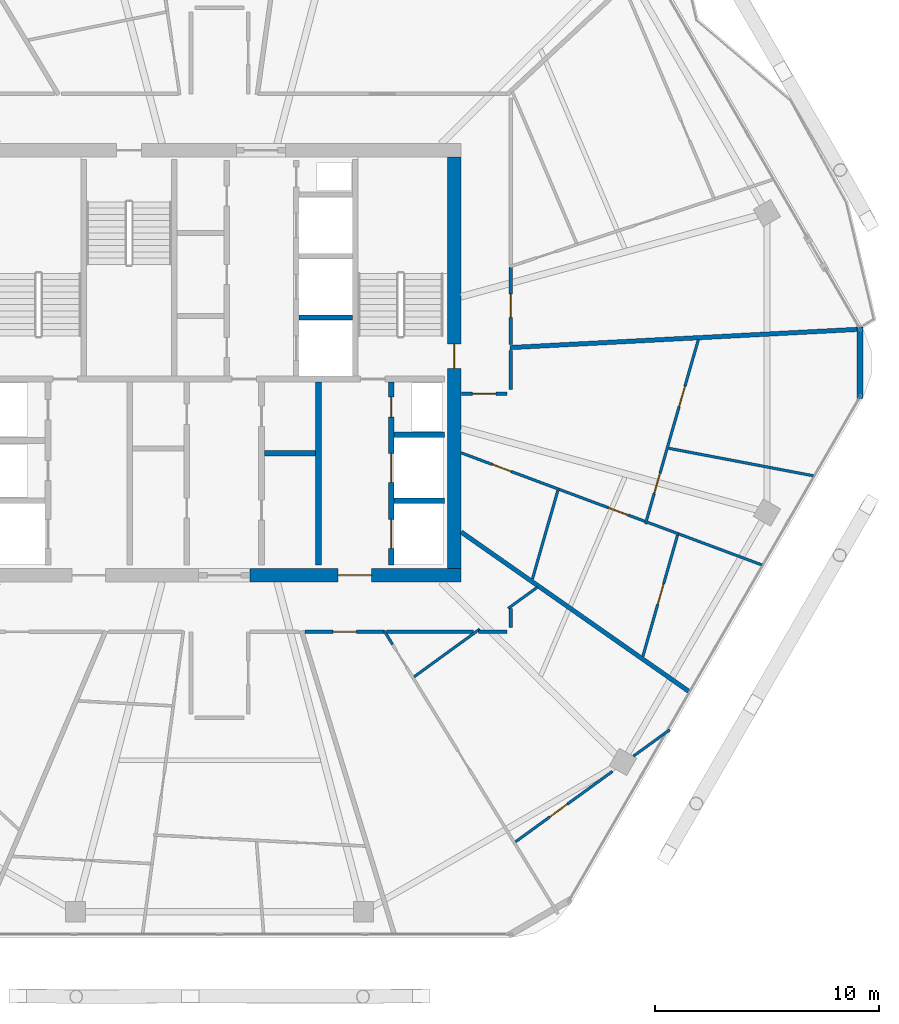
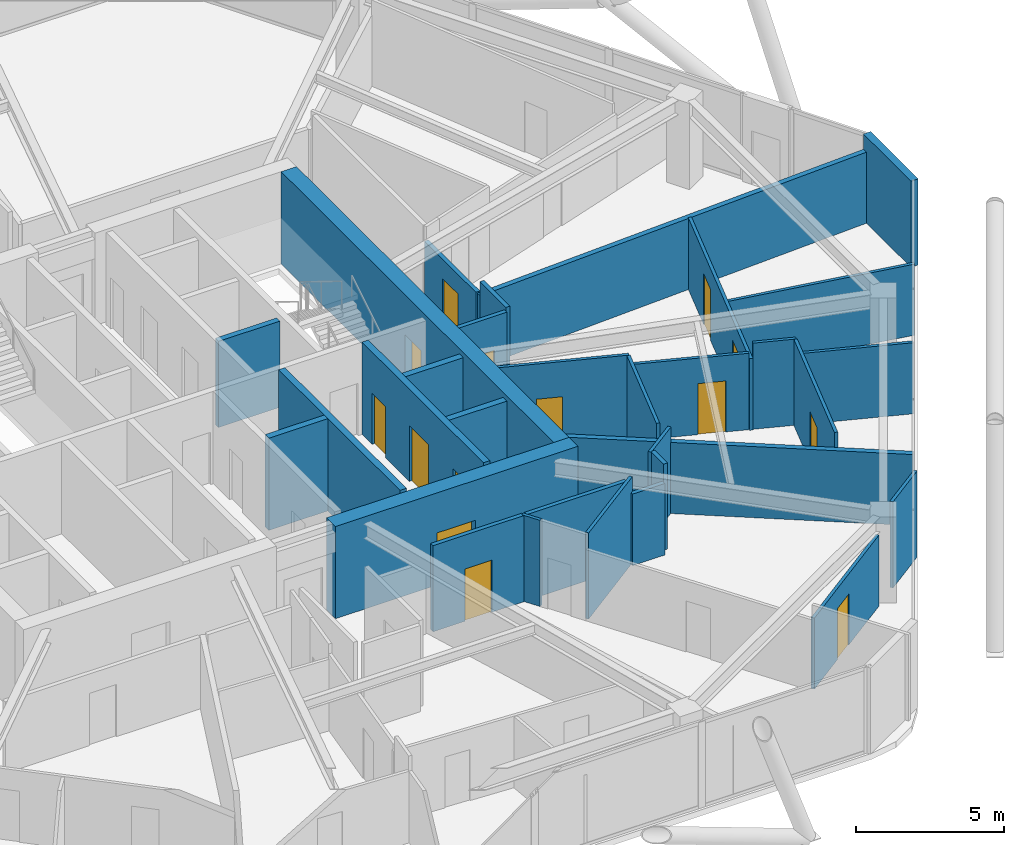
# One storey, part 22 of 27: 31 walls, 14 doors, 14 openings.
"""IFC4 building model written with IfcOpenShell, lengths in metres."""

from ifc_helpers import new_model, si_unit, direction, frame, frame_2d, origin, place, context, subcontext, project, spatial, rectangle, extrude, material, layer, layer_set, type_object, element, fill, save


model = new_model("IFC4")

# Units and contexts
model_context = context("Model", 3, precision=1e-05, world=origin(), true_north=direction((0.0, 1.0)))
body_context = subcontext(model_context, "Body", "Model", "MODEL_VIEW")
ifc_project = project(units=[si_unit("LENGTHUNIT", "METRE"), si_unit("AREAUNIT", "SQUARE_METRE"), si_unit("VOLUMEUNIT", "CUBIC_METRE"), si_unit("PLANEANGLEUNIT", "RADIAN"), si_unit("MASSUNIT", "GRAM", prefix="KILO")], contexts=[model_context])

# Site, building, storey
site_placement = place(None, origin())
site = spatial("IfcSite", under=ifc_project, at=site_placement, CompositionType="ELEMENT")
building_placement = place(site_placement, origin())
building = spatial("IfcBuilding", under=site, at=building_placement, Name="Zuhravey Tower", CompositionType="ELEMENT")
storey_placement = place(building_placement, frame((0.0, 0.0, 261.60009765625)))
storey = spatial("IfcBuildingStorey", under=building, at=storey_placement, Name="L66", CompositionType="ELEMENT", Elevation=261.60009765625)

# Wall, opening, door
ifc_material_1 = material(Name="Concrete C50/60", Category="concrete")
ifc_layer_1 = layer(ifc_material_1, 0.60009765625)
ifc_layer_set_1 = layer_set([ifc_layer_1], Name="Concrete C50/60")
wall_type_1 = type_object("IfcWallType", Name="Core Shear Wall 600", PredefinedType="SHEAR", material=ifc_layer_set_1)
wall_1_placement = place(storey_placement, frame((37.35009765625, 22.5, 0.0), z_axis=(0.0, 0.0, 1.0), x_axis=(1.0, 0.0, 0.0)))
wall_1 = element("IfcWall", 1, at=wall_1_placement, inside=storey, type_object=wall_type_1, Name="L66 South-East Core Shear Wall CW60", PredefinedType="SHEAR", context=body_context, shape_type="SweptSolid", body=[
    extrude(rectangle(XDim=9.449951171875, YDim=0.60009765625, at=frame_2d((4.72509765625, 0.0))), origin(), (0.0, 0.0, 1.0), 3.7998046875),
])
opening_1_placement = place(wall_1_placement, frame((3.949951171875, 0.0, 0.0)))
opening_1 = element("IfcOpeningElement", 2, at=opening_1_placement, cuts=wall_1, Name="Opening FFD1", PredefinedType="OPENING", context=body_context, shape_type="SweptSolid", body=[
    extrude(rectangle(XDim=1.5, YDim=2.14990234375, at=frame_2d((0.75, 1.074951171875))), frame((0.0, 0.31201171875, 0.0), z_axis=(0.0, -1.0, 0.0), x_axis=(1.0, 0.0, 0.0)), (0.0, 0.0, 1.0), 0.6240234375),
])
ifc_material_2 = material(Name="Galvanised fire-rated steel leaf", Category="steel")
door_type_1 = type_object("IfcDoorType", Name="Firefighting Lobby Double Door 1500x2150", OperationType="DOUBLE_DOOR_SINGLE_SWING", PredefinedType="DOOR", material=ifc_material_2)
door_1_placement = place(opening_1_placement, origin())
door_1 = element("IfcDoor", 3, at=door_1_placement, inside=storey, type_object=door_type_1, Name="L66 Firefighting Lobby East Door", OperationType="DOUBLE_DOOR_SINGLE_SWING", OverallHeight=2.14990234375, OverallWidth=1.5, PredefinedType="DOOR", context=body_context, shape_type="SweptSolid", body=[
    extrude(rectangle(XDim=1.5, YDim=2.14990234375, at=frame_2d((0.75, 1.074951171875))), frame((0.0, 0.02490234375, 0.0), z_axis=(0.0, -1.0, 0.0), x_axis=(1.0, 0.0, 0.0)), (0.0, 0.0, 1.0), 0.050048828125),
])
fill(opening_1, door_1)

wall_2_placement = place(storey_placement, frame((46.5, 22.800048828125, 0.0), z_axis=(0.0, 0.0, 1.0), x_axis=(0.0, 1.0, 0.0)))
wall_2 = element("IfcWall", 4, at=wall_2_placement, inside=storey, type_object=wall_type_1, Name="L66 East Core Shear Wall CW60", PredefinedType="SHEAR", context=body_context, shape_type="SweptSolid", body=[
    extrude(rectangle(XDim=18.39990234375, YDim=0.60009765625, at=frame_2d((9.199951171875, 0.0))), origin(), (0.0, 0.0, 1.0), 3.7998046875),
])
opening_2_placement = place(wall_2_placement, frame((8.949951171875, 0.0, 0.0)))
opening_2 = element("IfcOpeningElement", 5, at=opening_2_placement, cuts=wall_2, Name="Opening STD1", PredefinedType="OPENING", context=body_context, shape_type="SweptSolid", body=[
    extrude(rectangle(XDim=1.10009765625, YDim=2.14990234375, at=frame_2d((0.550048828125, 1.074951171875))), frame((0.0, 0.31201171875, 0.0), z_axis=(0.0, -1.0, 0.0), x_axis=(1.0, 0.0, 0.0)), (0.0, 0.0, 1.0), 0.6240234375),
])
door_type_2 = type_object("IfcDoorType", Name="Protected Stair Fire Door 1100x2150", OperationType="NOTDEFINED", PredefinedType="USERDEFINED", material=ifc_material_2)
door_2_placement = place(opening_2_placement, origin())
door_2 = element("IfcDoor", 6, at=door_2_placement, inside=storey, type_object=door_type_2, Name="L66 Stair ST2 Door", ObjectType="EXITDOOR", OperationType="SINGLE_SWING_RIGHT", OverallHeight=2.14990234375, OverallWidth=1.10009765625, PredefinedType="USERDEFINED", context=body_context, shape_type="SweptSolid", body=[
    extrude(rectangle(XDim=1.10009765625, YDim=2.14990234375, at=frame_2d((0.550048828125, 1.074951171875))), frame((0.0, 0.02490234375, 0.0), z_axis=(0.0, -1.0, 0.0), x_axis=(1.0, 0.0, 0.0)), (0.0, 0.0, 1.0), 0.050048828125),
])
fill(opening_2, door_2)

ifc_material_3 = material(Name="Gypsum fire-rated stud partition")
ifc_layer_2 = layer(ifc_material_3, 0.159912109375)
ifc_layer_set_2 = layer_set([ifc_layer_2], Name="Gypsum fire-rated stud partition")
wall_type_2 = type_object("IfcWallType", Name="Corridor Fire Partition 160", PredefinedType="PARTITIONING", material=ifc_layer_set_2)
wall_3_placement = place(storey_placement, frame((39.81396484375, 19.969970703125, 0.0), z_axis=(0.0, 0.0, 1.0), x_axis=(1.0, 0.0, 0.0)))
wall_3 = element("IfcWall", 7, at=wall_3_placement, inside=storey, type_object=wall_type_2, Name="L66 IW16 Partition 045", PredefinedType="PARTITIONING", context=body_context, shape_type="SweptSolid", body=[
    extrude(rectangle(XDim=3.552001953125, YDim=0.159912109375, at=frame_2d((1.77587890625, 0.0))), origin(), (0.0, 0.0, 1.0), 3.5498046875),
])
opening_3_placement = place(wall_3_placement, frame((1.2509765625, 0.0, 0.0)))
opening_3 = element("IfcOpeningElement", 8, at=opening_3_placement, cuts=wall_3, Name="Opening APD1", PredefinedType="OPENING", context=body_context, shape_type="SweptSolid", body=[
    extrude(rectangle(XDim=1.050048828125, YDim=2.14990234375, at=frame_2d((0.52490234375, 1.074951171875))), frame((0.0, 0.092041015625, 0.0), z_axis=(0.0, -1.0, 0.0), x_axis=(1.0, 0.0, 0.0)), (0.0, 0.0, 1.0), 0.183837890625),
])
ifc_material_4 = material(Name="Solid-core oak fire-rated leaf")
door_type_3 = type_object("IfcDoorType", Name="Apartment Entrance Fire Door 1050x2150", OperationType="NOTDEFINED", PredefinedType="DOOR", material=ifc_material_4)
door_3_placement = place(opening_3_placement, frame((1.050048828125, 0.0, 0.0), z_axis=(0.0, 0.0, 1.0), x_axis=(-1.0, 0.0, 0.0)))
door_3 = element("IfcDoor", 9, at=door_3_placement, inside=storey, type_object=door_type_3, Name="L66 Door 045.1", OperationType="SINGLE_SWING_RIGHT", OverallHeight=2.14990234375, OverallWidth=1.050048828125, PredefinedType="DOOR", context=body_context, shape_type="SweptSolid", body=[
    extrude(rectangle(XDim=1.050048828125, YDim=2.14990234375, at=frame_2d((0.52490234375, 1.074951171875))), frame((0.0, 0.02490234375, 0.0), z_axis=(0.0, -1.0, 0.0), x_axis=(1.0, 0.0, 0.0)), (0.0, 0.0, 1.0), 0.050048828125),
])
fill(opening_3, door_3)

wall_4_placement = place(storey_placement, frame((46.820068359375, 30.6201171875, 0.0), z_axis=(0.0, 0.0, 1.0), x_axis=(1.0, 0.0, 0.0)))
wall_4 = element("IfcWall", 10, at=wall_4_placement, inside=storey, type_object=wall_type_2, Name="L66 IW16 Partition 051", PredefinedType="PARTITIONING", context=body_context, shape_type="SweptSolid", body=[
    extrude(rectangle(XDim=2.030029296875, YDim=0.159912109375, at=frame_2d((1.01513671875, 0.0))), origin(), (0.0, 0.0, 1.0), 3.5498046875),
])
opening_4_placement = place(wall_4_placement, frame((0.489990234375, 0.0, 0.0)))
opening_4 = element("IfcOpeningElement", 11, at=opening_4_placement, cuts=wall_4, Name="Opening APD1", PredefinedType="OPENING", context=body_context, shape_type="SweptSolid", body=[
    extrude(rectangle(XDim=1.050048828125, YDim=2.14990234375, at=frame_2d((0.52490234375, 1.074951171875))), frame((0.0, 0.092041015625, 0.0), z_axis=(0.0, -1.0, 0.0), x_axis=(1.0, 0.0, 0.0)), (0.0, 0.0, 1.0), 0.183837890625),
])
door_4_placement = place(opening_4_placement, frame((1.050048828125, 0.0, 0.0), z_axis=(0.0, 0.0, 1.0), x_axis=(-1.0, 0.0, 0.0)))
door_4 = element("IfcDoor", 12, at=door_4_placement, inside=storey, type_object=door_type_3, Name="L66 Door 051.1", OperationType="SINGLE_SWING_RIGHT", OverallHeight=2.14990234375, OverallWidth=1.050048828125, PredefinedType="DOOR", context=body_context, shape_type="SweptSolid", body=[
    extrude(rectangle(XDim=1.050048828125, YDim=2.14990234375, at=frame_2d((0.52490234375, 1.074951171875))), frame((0.0, 0.02490234375, 0.0), z_axis=(0.0, -1.0, 0.0), x_axis=(1.0, 0.0, 0.0)), (0.0, 0.0, 1.0), 0.050048828125),
])
fill(opening_4, door_4)

wall_5_placement = place(storey_placement, frame((49.030029296875, 32.81689453125, 0.0), z_axis=(0.0, 0.0, 1.0), x_axis=(0.0, 1.0, 0.0)))
wall_5 = element("IfcWall", 13, at=wall_5_placement, inside=storey, type_object=wall_type_2, Name="L66 IW16 Partition 055", PredefinedType="PARTITIONING", context=body_context, shape_type="SweptSolid", body=[
    extrude(rectangle(XDim=3.476318359375, YDim=0.159912109375, at=frame_2d((1.73828125, 0.0))), origin(), (0.0, 0.0, 1.0), 2.949951171875),
])
opening_5_placement = place(wall_5_placement, frame((1.213134765625, 0.0, 0.0)))
opening_5 = element("IfcOpeningElement", 14, at=opening_5_placement, cuts=wall_5, Name="Opening APD1", PredefinedType="OPENING", context=body_context, shape_type="SweptSolid", body=[
    extrude(rectangle(XDim=1.050048828125, YDim=2.14990234375, at=frame_2d((0.52490234375, 1.074951171875))), frame((0.0, 0.092041015625, 0.0), z_axis=(0.0, -1.0, 0.0), x_axis=(1.0, 0.0, 0.0)), (0.0, 0.0, 1.0), 0.183837890625),
])
door_5_placement = place(opening_5_placement, frame((1.050048828125, 0.0, 0.0), z_axis=(0.0, 0.0, 1.0), x_axis=(-1.0, 0.0, 0.0)))
door_5 = element("IfcDoor", 15, at=door_5_placement, inside=storey, type_object=door_type_3, Name="L66 Door 055.1", OperationType="SINGLE_SWING_RIGHT", OverallHeight=2.14990234375, OverallWidth=1.050048828125, PredefinedType="DOOR", context=body_context, shape_type="SweptSolid", body=[
    extrude(rectangle(XDim=1.050048828125, YDim=2.14990234375, at=frame_2d((0.52490234375, 1.074951171875))), frame((0.0, 0.02490234375, 0.0), z_axis=(0.0, -1.0, 0.0), x_axis=(1.0, 0.0, 0.0)), (0.0, 0.0, 1.0), 0.050048828125),
])
fill(opening_5, door_5)

# Walls
wall_6_placement = place(storey_placement, frame((43.46923828125, 19.969970703125, 0.0), z_axis=(0.0, 0.0, 1.0), x_axis=(1.0, 0.0, 0.0)))
element("IfcWall", 16, at=wall_6_placement, inside=storey, type_object=wall_type_2, Name="L66 IW16 Partition 115", PredefinedType="PARTITIONING", context=body_context, shape_type="SweptSolid", body=[
    extrude(rectangle(XDim=3.8896484375, YDim=0.159912109375, at=frame_2d((1.94482421875, 0.0))), origin(), (0.0, 0.0, 1.0), 3.5498046875),
])
wall_7_placement = place(storey_placement, frame((47.59033203125, 19.969970703125, 0.0), z_axis=(0.0, 0.0, 1.0), x_axis=(1.0, 0.0, 0.0)))
element("IfcWall", 17, at=wall_7_placement, inside=storey, type_object=wall_type_2, Name="L66 IW16 Partition 116", PredefinedType="PARTITIONING", context=body_context, shape_type="SweptSolid", body=[
    extrude(rectangle(XDim=1.259765625, YDim=0.159912109375, at=frame_2d((0.6298828125, 0.0))), origin(), (0.0, 0.0, 1.0), 2.949951171875),
])
wall_8_placement = place(storey_placement, frame((49.030029296875, 20.14990234375, 0.0), z_axis=(0.0, 0.0, 1.0), x_axis=(0.0, 1.0, 0.0)))
element("IfcWall", 18, at=wall_8_placement, inside=storey, type_object=wall_type_2, Name="L66 IW16 Partition 117", PredefinedType="PARTITIONING", context=body_context, shape_type="SweptSolid", body=[
    extrude(rectangle(XDim=0.8662109375, YDim=0.159912109375, at=frame_2d((0.43310546875, 0.0))), origin(), (0.0, 0.0, 1.0), 3.5498046875),
])
wall_9_placement = place(storey_placement, frame((49.030029296875, 30.800048828125, 0.0), z_axis=(0.0, 0.0, 1.0), x_axis=(0.0, 1.0, 0.0)))
element("IfcWall", 19, at=wall_9_placement, inside=storey, type_object=wall_type_2, Name="L66 IW16 Partition 118", PredefinedType="PARTITIONING", context=body_context, shape_type="SweptSolid", body=[
    extrude(rectangle(XDim=1.748779296875, YDim=0.159912109375, at=frame_2d((0.87451171875, 0.0))), origin(), (0.0, 0.0, 1.0), 3.5498046875),
])
ifc_material_5 = material(Name="Precast concrete C40/50", Category="concrete")
ifc_layer_3 = layer(ifc_material_5, 0.280029296875)
ifc_layer_set_3 = layer_set([ifc_layer_3], Name="Precast concrete C40/50")
wall_type_3 = type_object("IfcWallType", Name="Crown Architectural Wall 280", PredefinedType="SOLIDWALL", material=ifc_layer_set_3)
wall_10_placement = place(storey_placement, frame((64.64501953125, 33.607421875, 0.0), z_axis=(0.0, 0.0, 1.0), x_axis=(0.0, -1.0, 0.0)))
element("IfcWall", 20, at=wall_10_placement, inside=storey, type_object=wall_type_3, Name="L66 Rounded Corner Closure Wall EW28-12", PredefinedType="SOLIDWALL", context=body_context, shape_type="SweptSolid", body=[
    extrude(rectangle(XDim=3.21484375, YDim=0.280029296875, at=frame_2d((1.607421875, 0.0))), origin(), (0.0, 0.0, 1.0), 3.5498046875),
])
ifc_layer_4 = layer(ifc_material_1, 0.25)
ifc_layer_set_4 = layer_set([ifc_layer_4], Name="Concrete C50/60")
wall_type_4 = type_object("IfcWallType", Name="Firefighting Shaft & Stair Wall 250", PredefinedType="SOLIDWALL", material=ifc_layer_set_4)
wall_11_placement = place(storey_placement, frame((38.0, 27.949951171875, 0.0), z_axis=(0.0, 0.0, 1.0), x_axis=(1.0, 0.0, 0.0)))
element("IfcWall", 21, at=wall_11_placement, inside=storey, type_object=wall_type_4, Name="L66 FW25 Shaft Wall 014", PredefinedType="SOLIDWALL", context=body_context, shape_type="SweptSolid", body=[
    extrude(rectangle(XDim=2.300048828125, YDim=0.25, at=frame_2d((1.14990234375, 0.0))), origin(), (0.0, 0.0, 1.0), 3.7998046875),
])
wall_12_placement = place(storey_placement, frame((40.425048828125, 22.949951171875, 0.0), z_axis=(0.0, 0.0, 1.0), x_axis=(0.0, 1.0, 0.0)))
element("IfcWall", 22, at=wall_12_placement, inside=storey, type_object=wall_type_4, Name="L66 FW25 Shaft Wall 016", PredefinedType="SOLIDWALL", context=body_context, shape_type="SweptSolid", body=[
    extrude(rectangle(XDim=8.199951171875, YDim=0.25, at=frame_2d((4.10009765625, 0.0))), origin(), (0.0, 0.0, 1.0), 3.7998046875),
])
for number, where, z_axis, x_axis, name in (
    (23, (43.800048828125, 25.824951171875, 0.0), (0.0, 0.0, 1.0), (1.0, 0.0, 0.0), "L66 FW25 Shaft Wall 017"),
    (24, (43.800048828125, 28.77490234375, 0.0), (0.0, 0.0, 1.0), (1.0, 0.0, 0.0), "L66 FW25 Shaft Wall 018"),
):
    element("IfcWall", number, at=place(storey_placement, frame(where, z_axis=z_axis, x_axis=x_axis)), inside=storey, type_object=wall_type_4, Name=name, PredefinedType="SOLIDWALL", context=body_context, shape_type="SweptSolid", body=[
        extrude(rectangle(XDim=2.25, YDim=0.25, at=frame_2d((1.125, 0.0))), origin(), (0.0, 0.0, 1.0), 3.7998046875),
    ])

# Wall, openings, doors
wall_13_placement = place(storey_placement, frame((43.675048828125, 22.949951171875, 0.0), z_axis=(0.0, 0.0, 1.0), x_axis=(0.0, 1.0, 0.0)))
wall_13 = element("IfcWall", 25, at=wall_13_placement, inside=storey, type_object=wall_type_4, Name="L66 FW25 Shaft Wall 019", PredefinedType="SOLIDWALL", context=body_context, shape_type="SweptSolid", body=[
    extrude(rectangle(XDim=8.199951171875, YDim=0.25, at=frame_2d((4.10009765625, 0.0))), origin(), (0.0, 0.0, 1.0), 3.7998046875),
])
opening_6_placement = place(wall_13_placement, frame((0.75, 0.0, 0.0)))
opening_6 = element("IfcOpeningElement", 26, at=opening_6_placement, cuts=wall_13, Name="Opening LD2", PredefinedType="OPENING", context=body_context, shape_type="SweptSolid", body=[
    extrude(rectangle(XDim=1.300048828125, YDim=2.300048828125, at=frame_2d((0.64990234375, 1.14990234375))), frame((0.0, 0.136962890625, 0.0), z_axis=(0.0, -1.0, 0.0), x_axis=(1.0, 0.0, 0.0)), (0.0, 0.0, 1.0), 0.27392578125),
])
opening_7_placement = place(wall_13_placement, frame((3.699951171875, 0.0, 0.0)))
opening_7 = element("IfcOpeningElement", 27, at=opening_7_placement, cuts=wall_13, Name="Opening LD2", PredefinedType="OPENING", context=body_context, shape_type="SweptSolid", body=[
    extrude(rectangle(XDim=1.300048828125, YDim=2.300048828125, at=frame_2d((0.64990234375, 1.14990234375))), frame((0.0, 0.136962890625, 0.0), z_axis=(0.0, -1.0, 0.0), x_axis=(1.0, 0.0, 0.0)), (0.0, 0.0, 1.0), 0.27392578125),
])
opening_8_placement = place(wall_13_placement, frame((6.6201171875, 0.0, 0.0)))
opening_8 = element("IfcOpeningElement", 28, at=opening_8_placement, cuts=wall_13, Name="Opening RSD1", PredefinedType="OPENING", context=body_context, shape_type="SweptSolid", body=[
    extrude(rectangle(XDim=0.89990234375, YDim=2.10009765625, at=frame_2d((0.449951171875, 1.050048828125))), frame((0.0, 0.136962890625, 0.0), z_axis=(0.0, -1.0, 0.0), x_axis=(1.0, 0.0, 0.0)), (0.0, 0.0, 1.0), 0.27392578125),
])
ifc_material_6 = material(Name="Brushed stainless steel", Category="steel")
door_type_4 = type_object("IfcDoorType", Name="Freight & Stretcher Lift Sliding Door 1300x2300", OperationType="DOUBLE_DOOR_SLIDING", PredefinedType="DOOR", material=ifc_material_6)
door_6_placement = place(opening_6_placement, origin())
door_6 = element("IfcDoor", 29, at=door_6_placement, inside=storey, type_object=door_type_4, Name="L66 Lift FF2 Landing Door", OperationType="DOUBLE_DOOR_SLIDING", OverallHeight=2.300048828125, OverallWidth=1.300048828125, PredefinedType="DOOR", context=body_context, shape_type="SweptSolid", body=[
    extrude(rectangle(XDim=1.300048828125, YDim=2.300048828125, at=frame_2d((0.64990234375, 1.14990234375))), frame((0.0, 0.02490234375, 0.0), z_axis=(0.0, -1.0, 0.0), x_axis=(1.0, 0.0, 0.0)), (0.0, 0.0, 1.0), 0.050048828125),
])
fill(opening_6, door_6)
door_7_placement = place(opening_7_placement, origin())
door_7 = element("IfcDoor", 30, at=door_7_placement, inside=storey, type_object=door_type_4, Name="L66 Lift SV1 Landing Door", OperationType="DOUBLE_DOOR_SLIDING", OverallHeight=2.300048828125, OverallWidth=1.300048828125, PredefinedType="DOOR", context=body_context, shape_type="SweptSolid", body=[
    extrude(rectangle(XDim=1.300048828125, YDim=2.300048828125, at=frame_2d((0.64990234375, 1.14990234375))), frame((0.0, 0.02490234375, 0.0), z_axis=(0.0, -1.0, 0.0), x_axis=(1.0, 0.0, 0.0)), (0.0, 0.0, 1.0), 0.050048828125),
])
fill(opening_7, door_7)
ifc_material_7 = material(Name="Galvanised fire-rated steel access leaf", Category="steel")
door_type_5 = type_object("IfcDoorType", Name="Riser & Shaft Access Fire Door 900x2100", OperationType="NOTDEFINED", PredefinedType="DOOR", material=ifc_material_7)
door_8_placement = place(opening_8_placement, origin())
door_8 = element("IfcDoor", 31, at=door_8_placement, inside=storey, type_object=door_type_5, Name="L66 Plumbing Riser Door", OperationType="SINGLE_SWING_LEFT", OverallHeight=2.10009765625, OverallWidth=0.89990234375, PredefinedType="DOOR", context=body_context, shape_type="SweptSolid", body=[
    extrude(rectangle(XDim=0.89990234375, YDim=2.10009765625, at=frame_2d((0.449951171875, 1.050048828125))), frame((0.0, 0.02490234375, 0.0), z_axis=(0.0, -1.0, 0.0), x_axis=(1.0, 0.0, 0.0)), (0.0, 0.0, 1.0), 0.050048828125),
])
fill(opening_8, door_8)

# Walls
ifc_material_8 = material(Name="Gypsum double-stud party assembly")
ifc_layer_5 = layer(ifc_material_8, 0.199951171875)
ifc_layer_set_5 = layer_set([ifc_layer_5], Name="Gypsum double-stud party assembly")
wall_type_5 = type_object("IfcWallType", Name="Inter-Tenancy Party Wall 200", PredefinedType="PARTITIONING", material=ifc_layer_set_5)
wall_14_placement = place(storey_placement, frame((46.80810546875, 24.43212890625, 0.0), z_axis=(0.0, 0.0, 1.0), x_axis=(0.819149112162, -0.57358062384, 0.0)))
element("IfcWall", 32, at=wall_14_placement, inside=storey, type_object=wall_type_5, Name="L66 IW20 Partition 090", PredefinedType="PARTITIONING", context=body_context, shape_type="SweptSolid", body=[
    extrude(rectangle(XDim=12.467041015625, YDim=0.199951171875, at=frame_2d((6.2333984375, 0.0))), origin(), (0.0, 0.0, 1.0), 2.929931640625),
])
wall_15_placement = place(storey_placement, frame((48.989990234375, 32.680908203125, 0.0), z_axis=(0.0, 0.0, 1.0), x_axis=(0.998629458789, 0.052337405734, 0.0)))
element("IfcWall", 33, at=wall_15_placement, inside=storey, type_object=wall_type_5, Name="L66 IW20 Partition 094", PredefinedType="PARTITIONING", context=body_context, shape_type="SweptSolid", body=[
    extrude(rectangle(XDim=15.682861328125, YDim=0.199951171875, at=frame_2d((7.84130859375, 0.0))), origin(), (0.0, 0.0, 1.0), 2.929931640625),
])
ifc_material_9 = material(Name="Gypsum acoustic stud assembly")
ifc_layer_6 = layer(ifc_material_9, 0.219970703125)
ifc_layer_set_6 = layer_set([ifc_layer_6], Name="Gypsum acoustic stud assembly")
wall_type_6 = type_object("IfcWallType", Name="School Acoustic Compartment Wall 220", PredefinedType="PARTITIONING", material=ifc_layer_set_6)
wall_16_placement = place(storey_placement, frame((39.55810546875, 34.02490234375, 0.0), z_axis=(0.0, 0.0, 1.0), x_axis=(1.0, 0.0, 0.0)))
element("IfcWall", 34, at=wall_16_placement, inside=storey, type_object=wall_type_6, Name="L66 IW22 Partition 063", PredefinedType="PARTITIONING", context=body_context, shape_type="SweptSolid", body=[
    extrude(rectangle(XDim=2.3837890625, YDim=0.219970703125, at=frame_2d((1.19189453125, 0.0))), origin(), (0.0, 0.0, 1.0), 3.5498046875),
])

# Wall, opening, door
ifc_material_10 = material(Name="Gypsum metal-stud partition")
ifc_layer_7 = layer(ifc_material_10, 0.1201171875)
ifc_layer_set_7 = layer_set([ifc_layer_7], Name="Gypsum metal-stud partition")
wall_type_7 = type_object("IfcWallType", Name="Unit Internal Partition 120", PredefinedType="PARTITIONING", material=ifc_layer_set_7)
wall_17_placement = place(storey_placement, frame((49.239501953125, 10.575439453125, 0.0), z_axis=(0.0, 0.0, 1.0), x_axis=(0.809007956484, 0.587797691681, 0.0)))
wall_17 = element("IfcWall", 35, at=wall_17_placement, inside=storey, type_object=wall_type_7, Name="L66 IW12 Partition 044", PredefinedType="PARTITIONING", context=body_context, shape_type="SweptSolid", body=[
    extrude(rectangle(XDim=5.357177734375, YDim=0.1201171875, at=frame_2d((2.6787109375, 0.0))), origin(), (0.0, 0.0, 1.0), 2.929931640625),
])
opening_9_placement = place(wall_17_placement, frame((1.8994140625, 0.0, 0.0)))
opening_9 = element("IfcOpeningElement", 36, at=opening_9_placement, cuts=wall_17, Name="Opening IND1", PredefinedType="OPENING", context=body_context, shape_type="SweptSolid", body=[
    extrude(rectangle(XDim=0.949951171875, YDim=2.10009765625, at=frame_2d((0.47509765625, 1.050048828125))), frame((0.0, 0.072021484375, 0.0), z_axis=(0.0, -1.0, 0.0), x_axis=(1.0, 0.0, 0.0)), (0.0, 0.0, 1.0), 0.14404296875),
])
ifc_material_11 = material(Name="Painted engineered timber leaf", Category="wood")
door_type_6 = type_object("IfcDoorType", Name="Internal Room & Bedroom Door 950x2100", OperationType="NOTDEFINED", PredefinedType="DOOR", material=ifc_material_11)
door_9_placement = place(opening_9_placement, frame((0.949951171875, 0.0, 0.0), z_axis=(0.0, 0.0, 1.0), x_axis=(-1.0, 0.0, 0.0)))
door_9 = element("IfcDoor", 37, at=door_9_placement, inside=storey, type_object=door_type_6, Name="Apartment L66-05 Bedroom 1 Door", OperationType="SINGLE_SWING_LEFT", OverallHeight=2.10009765625, OverallWidth=0.949951171875, PredefinedType="DOOR", context=body_context, shape_type="SweptSolid", body=[
    extrude(rectangle(XDim=0.949951171875, YDim=2.10009765625, at=frame_2d((0.47509765625, 1.050048828125))), frame((0.0, 0.02490234375, 0.0), z_axis=(0.0, -1.0, 0.0), x_axis=(1.0, 0.0, 0.0)), (0.0, 0.0, 1.0), 0.050048828125),
])
fill(opening_9, door_9)

# Wall, openings, doors
wall_18_placement = place(storey_placement, frame((55.05126953125, 24.793212890625, 0.0), z_axis=(0.0, 0.0, 1.0), x_axis=(0.275631107549, 0.961263487578, 0.0)))
wall_18 = element("IfcWall", 38, at=wall_18_placement, inside=storey, type_object=wall_type_7, Name="L66 IW12 Partition 046", PredefinedType="PARTITIONING", context=body_context, shape_type="SweptSolid", body=[
    extrude(rectangle(XDim=8.573974609375, YDim=0.1201171875, at=frame_2d((4.287109375, 0.0))), origin(), (0.0, 0.0, 1.0), 2.949951171875),
])
opening_10_placement = place(wall_18_placement, frame((1.41259765625, 0.0, 0.0)))
opening_10 = element("IfcOpeningElement", 39, at=opening_10_placement, cuts=wall_18, Name="Opening IND1", PredefinedType="OPENING", context=body_context, shape_type="SweptSolid", body=[
    extrude(rectangle(XDim=0.949951171875, YDim=2.10009765625, at=frame_2d((0.47509765625, 1.050048828125))), frame((0.0, 0.072021484375, 0.0), z_axis=(0.0, -1.0, 0.0), x_axis=(1.0, 0.0, 0.0)), (0.0, 0.0, 1.0), 0.14404296875),
])
opening_11_placement = place(wall_18_placement, frame((5.458984375, 0.0, 0.0)))
opening_11 = element("IfcOpeningElement", 40, at=opening_11_placement, cuts=wall_18, Name="Opening IND1", PredefinedType="OPENING", context=body_context, shape_type="SweptSolid", body=[
    extrude(rectangle(XDim=0.949951171875, YDim=2.10009765625, at=frame_2d((0.47509765625, 1.050048828125))), frame((0.0, 0.072021484375, 0.0), z_axis=(0.0, -1.0, 0.0), x_axis=(1.0, 0.0, 0.0)), (0.0, 0.0, 1.0), 0.14404296875),
])
door_10_placement = place(opening_10_placement, frame((0.949951171875, 0.0, 0.0), z_axis=(0.0, 0.0, 1.0), x_axis=(-1.0, 0.0, 0.0)))
door_10 = element("IfcDoor", 41, at=door_10_placement, inside=storey, type_object=door_type_6, Name="Apartment L66-06 Family Study Door", OperationType="SINGLE_SWING_LEFT", OverallHeight=2.10009765625, OverallWidth=0.949951171875, PredefinedType="DOOR", context=body_context, shape_type="SweptSolid", body=[
    extrude(rectangle(XDim=0.949951171875, YDim=2.10009765625, at=frame_2d((0.47509765625, 1.050048828125))), frame((0.0, 0.02490234375, 0.0), z_axis=(0.0, -1.0, 0.0), x_axis=(1.0, 0.0, 0.0)), (0.0, 0.0, 1.0), 0.050048828125),
])
fill(opening_10, door_10)
door_11_placement = place(opening_11_placement, frame((0.949951171875, 0.0, 0.0), z_axis=(0.0, 0.0, 1.0), x_axis=(-1.0, 0.0, 0.0)))
door_11 = element("IfcDoor", 42, at=door_11_placement, inside=storey, type_object=door_type_6, Name="Apartment L66-06 Dining Room Door", OperationType="SINGLE_SWING_RIGHT", OverallHeight=2.10009765625, OverallWidth=0.949951171875, PredefinedType="DOOR", context=body_context, shape_type="SweptSolid", body=[
    extrude(rectangle(XDim=0.949951171875, YDim=2.10009765625, at=frame_2d((0.47509765625, 1.050048828125))), frame((0.0, 0.02490234375, 0.0), z_axis=(0.0, -1.0, 0.0), x_axis=(1.0, 0.0, 0.0)), (0.0, 0.0, 1.0), 0.050048828125),
])
fill(opening_11, door_11)

# Wall, opening, door
wall_19_placement = place(storey_placement, frame((46.80810546875, 27.971923828125, 0.0), z_axis=(0.0, 0.0, 1.0), x_axis=(0.937036038674, -0.349232676344, 0.0)))
wall_19 = element("IfcWall", 43, at=wall_19_placement, inside=storey, type_object=wall_type_7, Name="L66 IW12 Partition 047", PredefinedType="PARTITIONING", context=body_context, shape_type="SweptSolid", body=[
    extrude(rectangle(XDim=4.6572265625, YDim=0.1201171875, at=frame_2d((2.32861328125, 0.0))), origin(), (0.0, 0.0, 1.0), 3.5498046875),
])
opening_12_placement = place(wall_19_placement, frame((1.486572265625, 0.0, 0.0)))
opening_12 = element("IfcOpeningElement", 44, at=opening_12_placement, cuts=wall_19, Name="Opening WCD1", PredefinedType="OPENING", context=body_context, shape_type="SweptSolid", body=[
    extrude(rectangle(XDim=0.89990234375, YDim=2.10009765625, at=frame_2d((0.449951171875, 1.050048828125))), frame((0.0, 0.072021484375, 0.0), z_axis=(0.0, -1.0, 0.0), x_axis=(1.0, 0.0, 0.0)), (0.0, 0.0, 1.0), 0.14404296875),
])
ifc_material_12 = material(Name="Moisture-resistant timber leaf", Category="wood")
door_type_7 = type_object("IfcDoorType", Name="Bathroom & WC Internal Door 900x2100", OperationType="NOTDEFINED", PredefinedType="DOOR", material=ifc_material_12)
door_12_placement = place(opening_12_placement, frame((0.89990234375, 0.0, 0.0), z_axis=(0.0, 0.0, 1.0), x_axis=(-1.0, 0.0, 0.0)))
door_12 = element("IfcDoor", 45, at=door_12_placement, inside=storey, type_object=door_type_7, Name="Apartment L66-06 Bathroom Door", OperationType="SINGLE_SWING_LEFT", OverallHeight=2.10009765625, OverallWidth=0.89990234375, PredefinedType="DOOR", context=body_context, shape_type="SweptSolid", body=[
    extrude(rectangle(XDim=0.89990234375, YDim=2.10009765625, at=frame_2d((0.449951171875, 1.050048828125))), frame((0.0, 0.02490234375, 0.0), z_axis=(0.0, -1.0, 0.0), x_axis=(1.0, 0.0, 0.0)), (0.0, 0.0, 1.0), 0.050048828125),
])
fill(opening_12, door_12)

wall_20_placement = place(storey_placement, frame((51.172119140625, 26.345458984375, 0.0), z_axis=(0.0, 0.0, 1.0), x_axis=(0.937041629646, -0.349217674682, 0.0)))
wall_20 = element("IfcWall", 46, at=wall_20_placement, inside=storey, type_object=wall_type_7, Name="L66 IW12 Partition 048", PredefinedType="PARTITIONING", context=body_context, shape_type="SweptSolid", body=[
    extrude(rectangle(XDim=4.10107421875, YDim=0.1201171875, at=frame_2d((2.050537109375, 0.0))), origin(), (0.0, 0.0, 1.0), 3.14990234375),
])
opening_13_placement = place(wall_20_placement, frame((2.35888671875, 0.0, 0.0)))
opening_13 = element("IfcOpeningElement", 47, at=opening_13_placement, cuts=wall_20, Name="Opening IND1", PredefinedType="OPENING", context=body_context, shape_type="SweptSolid", body=[
    extrude(rectangle(XDim=0.949951171875, YDim=2.10009765625, at=frame_2d((0.47509765625, 1.050048828125))), frame((0.0, 0.072021484375, 0.0), z_axis=(0.0, -1.0, 0.0), x_axis=(1.0, 0.0, 0.0)), (0.0, 0.0, 1.0), 0.14404296875),
])
door_13_placement = place(opening_13_placement, frame((0.949951171875, 0.0, 0.0), z_axis=(0.0, 0.0, 1.0), x_axis=(-1.0, 0.0, 0.0)))
door_13 = element("IfcDoor", 48, at=door_13_placement, inside=storey, type_object=door_type_6, Name="Apartment L66-06 Home Office Door", OperationType="SINGLE_SWING_RIGHT", OverallHeight=2.10009765625, OverallWidth=0.949951171875, PredefinedType="DOOR", context=body_context, shape_type="SweptSolid", body=[
    extrude(rectangle(XDim=0.949951171875, YDim=2.10009765625, at=frame_2d((0.47509765625, 1.050048828125))), frame((0.0, 0.02490234375, 0.0), z_axis=(0.0, -1.0, 0.0), x_axis=(1.0, 0.0, 0.0)), (0.0, 0.0, 1.0), 0.050048828125),
])
fill(opening_13, door_13)

# Wall
wall_21_placement = place(storey_placement, frame((55.142578125, 24.86572265625, 0.0), z_axis=(0.0, 0.0, 1.0), x_axis=(0.937038743308, -0.349225419378, 0.0)))
element("IfcWall", 49, at=wall_21_placement, inside=storey, type_object=wall_type_7, Name="L66 IW12 Partition 049", PredefinedType="PARTITIONING", context=body_context, shape_type="SweptSolid", body=[
    extrude(rectangle(XDim=1.480712890625, YDim=0.1201171875, at=frame_2d((0.740234375, 0.0))), origin(), (0.0, 0.0, 1.0), 3.5498046875),
])

# Wall, opening, door
wall_22_placement = place(storey_placement, frame((54.93212890625, 18.866943359375, 0.0), z_axis=(0.0, 0.0, 1.0), x_axis=(0.275658043462, 0.961255763611, 0.0)))
wall_22 = element("IfcWall", 50, at=wall_22_placement, inside=storey, type_object=wall_type_7, Name="L66 IW12 Partition 050", PredefinedType="PARTITIONING", context=body_context, shape_type="SweptSolid", body=[
    extrude(rectangle(XDim=5.6435546875, YDim=0.1201171875, at=frame_2d((2.82177734375, 0.0))), origin(), (0.0, 0.0, 1.0), 3.5498046875),
])
opening_14_placement = place(wall_22_placement, frame((2.430908203125, 0.0, 0.0)))
opening_14 = element("IfcOpeningElement", 51, at=opening_14_placement, cuts=wall_22, Name="Opening IND1", PredefinedType="OPENING", context=body_context, shape_type="SweptSolid", body=[
    extrude(rectangle(XDim=0.949951171875, YDim=2.10009765625, at=frame_2d((0.47509765625, 1.050048828125))), frame((0.0, 0.072021484375, 0.0), z_axis=(0.0, -1.0, 0.0), x_axis=(1.0, 0.0, 0.0)), (0.0, 0.0, 1.0), 0.14404296875),
])
door_14_placement = place(opening_14_placement, frame((0.949951171875, 0.0, 0.0), z_axis=(0.0, 0.0, 1.0), x_axis=(-1.0, 0.0, 0.0)))
door_14 = element("IfcDoor", 52, at=door_14_placement, inside=storey, type_object=door_type_6, Name="Apartment L66-06 Bedroom 1 Door", OperationType="SINGLE_SWING_LEFT", OverallHeight=2.10009765625, OverallWidth=0.949951171875, PredefinedType="DOOR", context=body_context, shape_type="SweptSolid", body=[
    extrude(rectangle(XDim=0.949951171875, YDim=2.10009765625, at=frame_2d((0.47509765625, 1.050048828125))), frame((0.0, 0.02490234375, 0.0), z_axis=(0.0, -1.0, 0.0), x_axis=(1.0, 0.0, 0.0)), (0.0, 0.0, 1.0), 0.050048828125),
])
fill(opening_14, door_14)

# Walls
wall_23_placement = place(storey_placement, frame((43.365966796875, 20.00830078125, 0.0), z_axis=(0.0, 0.0, 1.0), x_axis=(0.52321946428, -0.852197977115, 0.0)))
element("IfcWall", 53, at=wall_23_placement, inside=storey, type_object=wall_type_7, Name="L66 IW12 Partition 085", PredefinedType="PARTITIONING", context=body_context, shape_type="SweptSolid", body=[
    extrude(rectangle(XDim=0.7138671875, YDim=0.1201171875, at=frame_2d((0.35693359375, 0.0))), origin(), (0.0, 0.0, 1.0), 3.5498046875),
])
wall_24_placement = place(storey_placement, frame((44.705078125, 17.957763671875, 0.0), z_axis=(0.0, 0.0, 1.0), x_axis=(0.809009560969, 0.587795483362, 0.0)))
element("IfcWall", 54, at=wall_24_placement, inside=storey, type_object=wall_type_7, Name="L66 IW12 Partition 087", PredefinedType="PARTITIONING", context=body_context, shape_type="SweptSolid", body=[
    extrude(rectangle(XDim=3.627685546875, YDim=0.1201171875, at=frame_2d((1.81396484375, 0.0))), origin(), (0.0, 0.0, 1.0), 3.5498046875),
])
wall_25_placement = place(storey_placement, frame((48.909912109375, 21.012939453125, 0.0), z_axis=(0.0, 0.0, 1.0), x_axis=(0.809007643974, 0.5877981218, 0.0)))
element("IfcWall", 55, at=wall_25_placement, inside=storey, type_object=wall_type_7, Name="L66 IW12 Partition 088", PredefinedType="PARTITIONING", context=body_context, shape_type="SweptSolid", body=[
    extrude(rectangle(XDim=1.63232421875, YDim=0.1201171875, at=frame_2d((0.816162109375, 0.0))), origin(), (0.0, 0.0, 1.0), 3.5498046875),
])
wall_26_placement = place(storey_placement, frame((54.513671875, 14.407470703125, 0.0), z_axis=(0.0, 0.0, 1.0), x_axis=(0.809041940598, 0.58775091523, 0.0)))
element("IfcWall", 56, at=wall_26_placement, inside=storey, type_object=wall_type_7, Name="L66 IW12 Partition 089", PredefinedType="PARTITIONING", context=body_context, shape_type="SweptSolid", body=[
    extrude(rectangle(XDim=2.001220703125, YDim=0.1201171875, at=frame_2d((1.00048828125, 0.0))), origin(), (0.0, 0.0, 1.0), 3.5498046875),
])
wall_27_placement = place(storey_placement, frame((56.09228515625, 28.17724609375, 0.0), z_axis=(0.0, 0.0, 1.0), x_axis=(0.982380617182, -0.18689120628, 0.0)))
element("IfcWall", 57, at=wall_27_placement, inside=storey, type_object=wall_type_7, Name="L66 IW12 Partition 091", PredefinedType="PARTITIONING", context=body_context, shape_type="SweptSolid", body=[
    extrude(rectangle(XDim=6.653076171875, YDim=0.1201171875, at=frame_2d((3.32666015625, 0.0))), origin(), (0.0, 0.0, 1.0), 2.929931640625),
])
wall_28_placement = place(storey_placement, frame((56.530029296875, 24.3486328125, 0.0), z_axis=(0.0, 0.0, 1.0), x_axis=(0.937033786593, -0.349238718906, 0.0)))
element("IfcWall", 58, at=wall_28_placement, inside=storey, type_object=wall_type_7, Name="L66 IW12 Partition 092", PredefinedType="PARTITIONING", context=body_context, shape_type="SweptSolid", body=[
    extrude(rectangle(XDim=4.01904296875, YDim=0.1201171875, at=frame_2d((2.009521484375, 0.0))), origin(), (0.0, 0.0, 1.0), 2.929931640625),
])
wall_29_placement = place(storey_placement, frame((49.9951171875, 22.332275390625, 0.0), z_axis=(0.0, 0.0, 1.0), x_axis=(0.27563759031, 0.961261628699, 0.0)))
element("IfcWall", 59, at=wall_29_placement, inside=storey, type_object=wall_type_7, Name="L66 IW12 Partition 093", PredefinedType="PARTITIONING", context=body_context, shape_type="SweptSolid", body=[
    extrude(rectangle(XDim=4.115966796875, YDim=0.1201171875, at=frame_2d((2.05810546875, 0.0))), origin(), (0.0, 0.0, 1.0), 3.5498046875),
])

save(model, "model.ifc")
